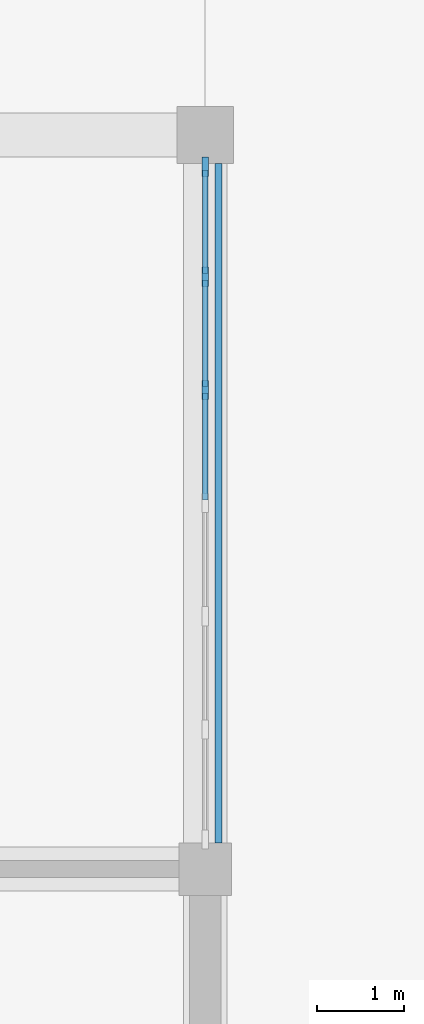
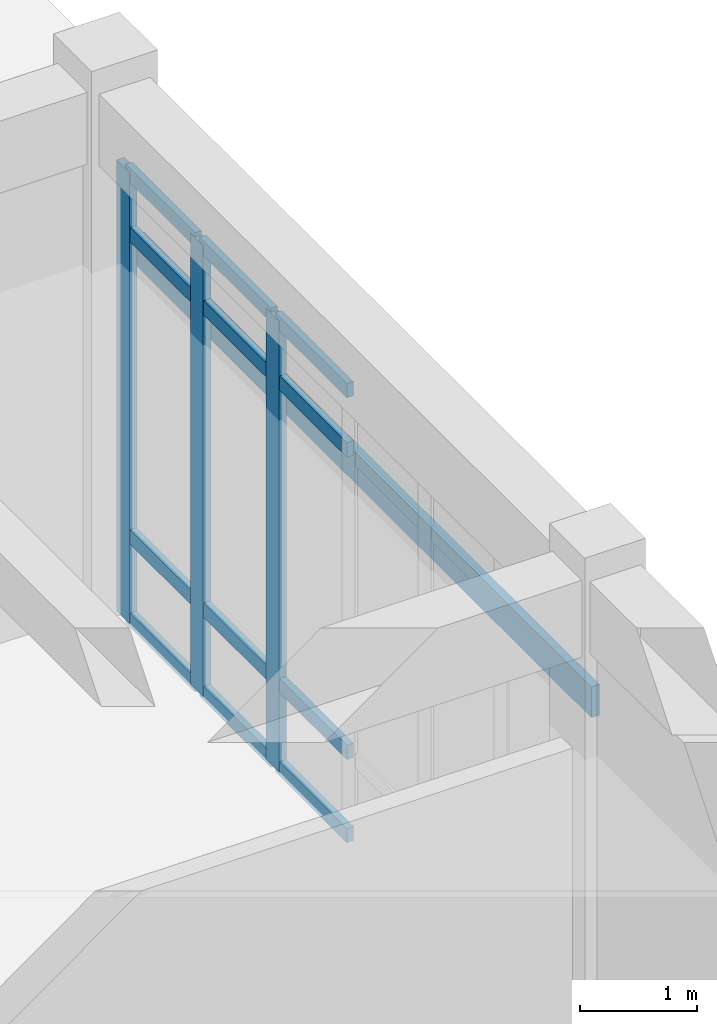
# One storey, part 42 of 91: 16 members, 1 element without a shape of its own.
"""IFC4 building model written with IfcOpenShell, lengths in metres."""

from ifc_helpers import new_model, si_unit, direction, frame, origin, origin_2d, place, context, subcontext, project, spatial, rectangle, extrude, material, layer, layer_set, material_profile, profile_set, type_object, element, aggregate, save


model = new_model("IFC4")

# Units and contexts
model_context = context("Model", 3, precision=1e-05, world=origin(), true_north=direction((0.0, 1.0)))
body_context = subcontext(model_context, "Body", "Model", "MODEL_VIEW")
ifc_project = project(units=[si_unit("LENGTHUNIT", "METRE"), si_unit("AREAUNIT", "SQUARE_METRE"), si_unit("VOLUMEUNIT", "CUBIC_METRE"), si_unit("PLANEANGLEUNIT", "RADIAN"), si_unit("MASSUNIT", "GRAM", prefix="KILO")], contexts=[model_context])

# Site, building, storey
site_placement = place(None, origin())
site = spatial("IfcSite", under=ifc_project, at=site_placement, CompositionType="ELEMENT")
building_placement = place(site_placement, origin())
building = spatial("IfcBuilding", under=site, at=building_placement, Name="Porcellanite Civic Hall", CompositionType="ELEMENT")
storey_placement = place(building_placement, origin())
storey = spatial("IfcBuildingStorey", under=building, at=storey_placement, Name="L00", CompositionType="ELEMENT", Elevation=0.0)

# Curtain wall, members
ifc_material_1 = material(Name="Anodised aluminium and solar laminated glass", Category="aluminium")
ifc_layer = layer(ifc_material_1, 0.179931640625)
ifc_layer_set = layer_set([ifc_layer], Name="Anodised aluminium and solar laminated glass")
curtain_wall_type = type_object("IfcCurtainWallType", Name="CW-SYS02", PredefinedType="NOTDEFINED", material=ifc_layer_set)
curtain_wall_placement = place(storey_placement, origin())
curtain_wall = element("IfcCurtainWall", 1, at=curtain_wall_placement, inside=storey, type_object=curtain_wall_type, Name="Curtain wall CW-059", PredefinedType="NOTDEFINED")
ifc_material_2 = material(Name="Anodised aluminium 6063-T6", Category="aluminium")
ifc_material_profile_1 = material_profile(ifc_material_2, rectangle(XDim=0.074951171875, YDim=0.219970703125, at=origin_2d()), Name="AL-75x220")
ifc_profile_set_1 = profile_set([ifc_material_profile_1], Name="Anodised aluminium 6063-T6")
member_type_1 = type_object("IfcMemberType", Name="CWM-03", PredefinedType="MULLION", material=ifc_profile_set_1)
member_1_placement = place(storey_placement, frame((176.39990234375, 75.236572265625, 0.0), z_axis=(0.0, 0.0, 1.0), x_axis=(1.0, 0.0, 0.0)))
member_1 = element("IfcMember", 2, at=member_1_placement, type_object=member_type_1, Name="CW-059 mullion 1", PredefinedType="MULLION", context=body_context, shape_type="SweptSolid", body=[
    extrude(rectangle(XDim=0.074951171875, YDim=0.219970703125, at=origin_2d()), origin(), (0.0, 0.0, 1.0), 4.699951171875),
])
member_2_placement = place(storey_placement, frame((176.39990234375, 73.978515625, 0.0), z_axis=(0.0, 0.0, 1.0), x_axis=(1.0, 0.0, 0.0)))
member_2 = element("IfcMember", 3, at=member_2_placement, type_object=member_type_1, Name="CW-059 mullion 2", PredefinedType="MULLION", context=body_context, shape_type="SweptSolid", body=[
    extrude(rectangle(XDim=0.074951171875, YDim=0.219970703125, at=origin_2d()), origin(), (0.0, 0.0, 1.0), 4.699951171875),
])
member_3_placement = place(storey_placement, frame((176.39990234375, 72.68310546875, 0.0), z_axis=(0.0, 0.0, 1.0), x_axis=(1.0, 0.0, 0.0)))
member_3 = element("IfcMember", 4, at=member_3_placement, type_object=member_type_1, Name="CW-059 mullion 3", PredefinedType="MULLION", context=body_context, shape_type="SweptSolid", body=[
    extrude(rectangle(XDim=0.074951171875, YDim=0.219970703125, at=origin_2d()), origin(), (0.0, 0.0, 1.0), 4.699951171875),
])
ifc_material_3 = material(Name="Anodised aluminium 6063-T6", Category="aluminium")
ifc_material_profile_2 = material_profile(ifc_material_3, rectangle(XDim=0.06494140625, YDim=0.14990234375, at=origin_2d()), Name="AL-65x150")
ifc_profile_set_2 = profile_set([ifc_material_profile_2], Name="Anodised aluminium 6063-T6")
member_type_2 = type_object("IfcMemberType", Name="CWT-02", PredefinedType="USERDEFINED", material=ifc_profile_set_2)
member_4_placement = place(storey_placement, frame((176.39990234375, 75.198974609375, 0.032470703125), z_axis=(0.0, -1.0, 0.0), x_axis=(1.0, 0.0, 0.0)))
member_4 = element("IfcMember", 5, at=member_4_placement, type_object=member_type_2, Name="CW-059 transom 1.1", ObjectType="TRANSOM", PredefinedType="USERDEFINED", context=body_context, shape_type="SweptSolid", body=[
    extrude(rectangle(XDim=0.06494140625, YDim=0.14990234375, at=origin_2d()), origin(), (0.0, 0.0, 1.0), 1.182861328125),
])
member_5_placement = place(storey_placement, frame((176.39990234375, 75.198974609375, 0.89990234375), z_axis=(0.0, -1.0, 0.0), x_axis=(1.0, 0.0, 0.0)))
member_5 = element("IfcMember", 6, at=member_5_placement, type_object=member_type_2, Name="CW-059 transom 1.2", ObjectType="TRANSOM", PredefinedType="USERDEFINED", context=body_context, shape_type="SweptSolid", body=[
    extrude(rectangle(XDim=0.06494140625, YDim=0.14990234375, at=origin_2d()), origin(), (0.0, 0.0, 1.0), 1.182861328125),
])
member_6_placement = place(storey_placement, frame((176.39990234375, 75.198974609375, 4.050048828125), z_axis=(0.0, -1.0, 0.0), x_axis=(1.0, 0.0, 0.0)))
member_6 = element("IfcMember", 7, at=member_6_placement, type_object=member_type_2, Name="CW-059 transom 1.3", ObjectType="TRANSOM", PredefinedType="USERDEFINED", context=body_context, shape_type="SweptSolid", body=[
    extrude(rectangle(XDim=0.06494140625, YDim=0.14990234375, at=origin_2d()), origin(), (0.0, 0.0, 1.0), 1.182861328125),
])
member_7_placement = place(storey_placement, frame((176.39990234375, 75.198974609375, 4.66748046875), z_axis=(0.0, -1.0, 0.0), x_axis=(1.0, 0.0, 0.0)))
member_7 = element("IfcMember", 8, at=member_7_placement, type_object=member_type_2, Name="CW-059 transom 1.4", ObjectType="TRANSOM", PredefinedType="USERDEFINED", context=body_context, shape_type="SweptSolid", body=[
    extrude(rectangle(XDim=0.06494140625, YDim=0.14990234375, at=origin_2d()), origin(), (0.0, 0.0, 1.0), 1.182861328125),
])
member_8_placement = place(storey_placement, frame((176.39990234375, 73.94091796875, 0.032470703125), z_axis=(0.0, -1.0, 0.0), x_axis=(1.0, 0.0, 0.0)))
member_8 = element("IfcMember", 9, at=member_8_placement, type_object=member_type_2, Name="CW-059 transom 2.1", ObjectType="TRANSOM", PredefinedType="USERDEFINED", context=body_context, shape_type="SweptSolid", body=[
    extrude(rectangle(XDim=0.06494140625, YDim=0.14990234375, at=origin_2d()), origin(), (0.0, 0.0, 1.0), 1.220458984375),
])
member_9_placement = place(storey_placement, frame((176.39990234375, 73.94091796875, 0.89990234375), z_axis=(0.0, -1.0, 0.0), x_axis=(1.0, 0.0, 0.0)))
member_9 = element("IfcMember", 10, at=member_9_placement, type_object=member_type_2, Name="CW-059 transom 2.2", ObjectType="TRANSOM", PredefinedType="USERDEFINED", context=body_context, shape_type="SweptSolid", body=[
    extrude(rectangle(XDim=0.06494140625, YDim=0.14990234375, at=origin_2d()), origin(), (0.0, 0.0, 1.0), 1.220458984375),
])
member_10_placement = place(storey_placement, frame((176.39990234375, 73.94091796875, 4.050048828125), z_axis=(0.0, -1.0, 0.0), x_axis=(1.0, 0.0, 0.0)))
member_10 = element("IfcMember", 11, at=member_10_placement, type_object=member_type_2, Name="CW-059 transom 2.3", ObjectType="TRANSOM", PredefinedType="USERDEFINED", context=body_context, shape_type="SweptSolid", body=[
    extrude(rectangle(XDim=0.06494140625, YDim=0.14990234375, at=origin_2d()), origin(), (0.0, 0.0, 1.0), 1.220458984375),
])
member_11_placement = place(storey_placement, frame((176.39990234375, 73.94091796875, 4.66748046875), z_axis=(0.0, -1.0, 0.0), x_axis=(1.0, 0.0, 0.0)))
member_11 = element("IfcMember", 12, at=member_11_placement, type_object=member_type_2, Name="CW-059 transom 2.4", ObjectType="TRANSOM", PredefinedType="USERDEFINED", context=body_context, shape_type="SweptSolid", body=[
    extrude(rectangle(XDim=0.06494140625, YDim=0.14990234375, at=origin_2d()), origin(), (0.0, 0.0, 1.0), 1.220458984375),
])
member_12_placement = place(storey_placement, frame((176.39990234375, 72.6455078125, 0.032470703125), z_axis=(0.0, -1.0, 0.0), x_axis=(1.0, 0.0, 0.0)))
member_12 = element("IfcMember", 13, at=member_12_placement, type_object=member_type_2, Name="CW-059 transom 3.1", ObjectType="TRANSOM", PredefinedType="USERDEFINED", context=body_context, shape_type="SweptSolid", body=[
    extrude(rectangle(XDim=0.06494140625, YDim=0.14990234375, at=origin_2d()), origin(), (0.0, 0.0, 1.0), 1.220458984375),
])
member_13_placement = place(storey_placement, frame((176.39990234375, 72.6455078125, 0.89990234375), z_axis=(0.0, -1.0, 0.0), x_axis=(1.0, 0.0, 0.0)))
member_13 = element("IfcMember", 14, at=member_13_placement, type_object=member_type_2, Name="CW-059 transom 3.2", ObjectType="TRANSOM", PredefinedType="USERDEFINED", context=body_context, shape_type="SweptSolid", body=[
    extrude(rectangle(XDim=0.06494140625, YDim=0.14990234375, at=origin_2d()), origin(), (0.0, 0.0, 1.0), 1.220458984375),
])
member_14_placement = place(storey_placement, frame((176.39990234375, 72.6455078125, 4.050048828125), z_axis=(0.0, -1.0, 0.0), x_axis=(1.0, 0.0, 0.0)))
member_14 = element("IfcMember", 15, at=member_14_placement, type_object=member_type_2, Name="CW-059 transom 3.3", ObjectType="TRANSOM", PredefinedType="USERDEFINED", context=body_context, shape_type="SweptSolid", body=[
    extrude(rectangle(XDim=0.06494140625, YDim=0.14990234375, at=origin_2d()), origin(), (0.0, 0.0, 1.0), 1.220458984375),
])
member_15_placement = place(storey_placement, frame((176.39990234375, 72.6455078125, 4.66748046875), z_axis=(0.0, -1.0, 0.0), x_axis=(1.0, 0.0, 0.0)))
member_15 = element("IfcMember", 16, at=member_15_placement, type_object=member_type_2, Name="CW-059 transom 3.4", ObjectType="TRANSOM", PredefinedType="USERDEFINED", context=body_context, shape_type="SweptSolid", body=[
    extrude(rectangle(XDim=0.06494140625, YDim=0.14990234375, at=origin_2d()), origin(), (0.0, 0.0, 1.0), 1.220458984375),
])
aggregate(curtain_wall, [member_1, member_2, member_3, member_4, member_5, member_6, member_7, member_8, member_9, member_10, member_11, member_12, member_13, member_14, member_15])

# Member
ifc_material_4 = material(Name="Fluoropolymer bauxite-red aluminium 6063-T6", Category="aluminium")
ifc_material_profile_3 = material_profile(ifc_material_4, rectangle(XDim=0.080078125, YDim=0.320068359375, at=origin_2d()), Name="AL-80x320")
ifc_profile_set_3 = profile_set([ifc_material_profile_3], Name="Fluoropolymer bauxite-red aluminium 6063-T6")
member_type_3 = type_object("IfcMemberType", Name="LV-BLD03", PredefinedType="USERDEFINED", material=ifc_profile_set_3)
member_16_placement = place(storey_placement, frame((176.552001953125, 75.275390625, 3.75), z_axis=(0.0, -1.0, 0.0), x_axis=(1.0, 0.0, 0.0)))
element("IfcMember", 17, at=member_16_placement, inside=storey, type_object=member_type_3, Name="Cyclone sunshade louvre L00 E 20-8 2", ObjectType="LOUVRE BLADE", PredefinedType="USERDEFINED", context=body_context, shape_type="SweptSolid", body=[
    extrude(rectangle(XDim=0.080078125, YDim=0.320068359375, at=origin_2d()), origin(), (0.0, 0.0, 1.0), 7.77587890625),
])

save(model, "model.ifc")
